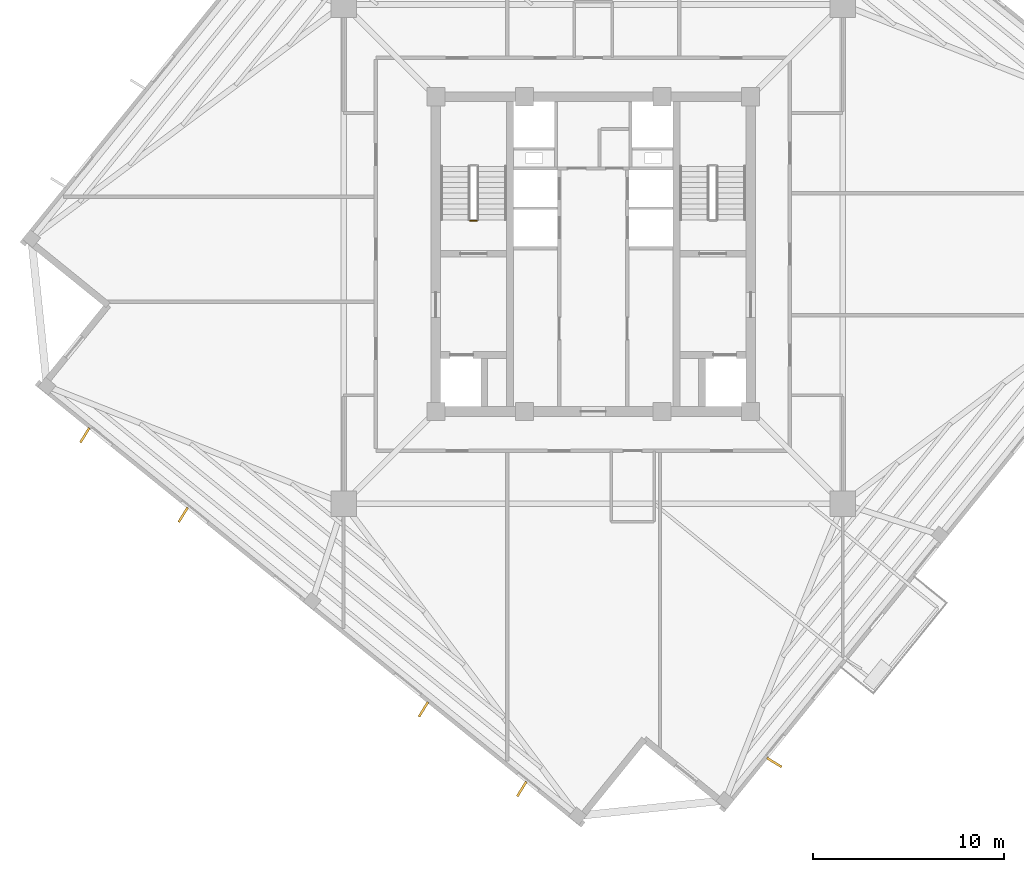
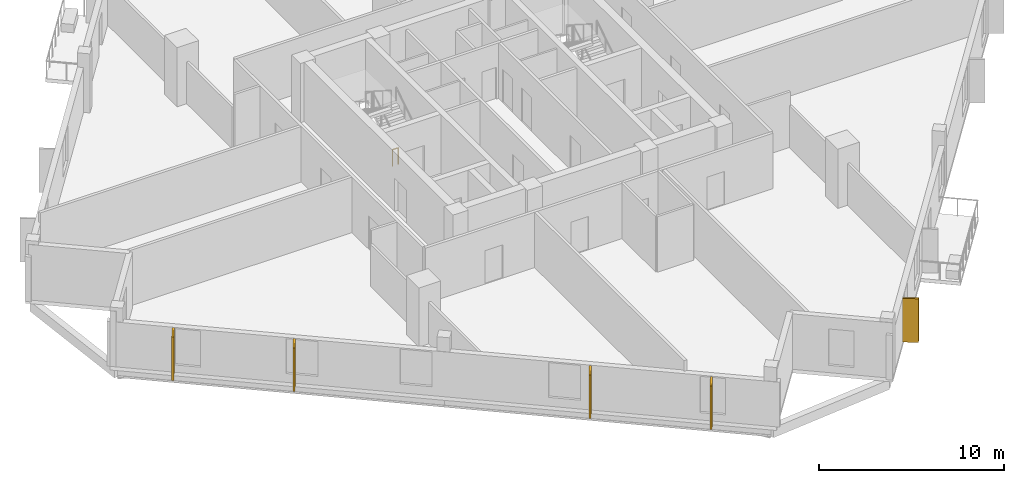
# One storey, part 6 of 9: 5 coverings, 1 railing.
"""IFC4 building model written with IfcOpenShell, lengths in metres."""

from ifc_helpers import new_model, si_unit, direction, frame, origin, origin_2d, place, context, subcontext, project, spatial, rectangle, circle, extrude, source, transform, mapped, material, layer, layer_set, type_object, element, save


model = new_model("IFC4")

# Units and contexts
model_context = context("Model", 3, precision=1e-05, world=origin(), true_north=direction((0.0, 1.0)))
body_context = subcontext(model_context, "Body", "Model", "MODEL_VIEW")
ifc_project = project(units=[si_unit("LENGTHUNIT", "METRE"), si_unit("AREAUNIT", "SQUARE_METRE"), si_unit("VOLUMEUNIT", "CUBIC_METRE"), si_unit("PLANEANGLEUNIT", "RADIAN"), si_unit("MASSUNIT", "GRAM", prefix="KILO"), si_unit("THERMODYNAMICTEMPERATUREUNIT", "KELVIN")], contexts=[model_context])

# Site, building, storey
site_placement = place(None, origin())
site = spatial("IfcSite", under=ifc_project, at=site_placement, CompositionType="ELEMENT")
building_placement = place(site_placement, origin())
building = spatial("IfcBuilding", under=site, at=building_placement, Name="Kosmvard Interchange Tower", CompositionType="ELEMENT")
storey_placement = place(building_placement, frame((0.0, 0.0, 236.800048828125)))
storey = spatial("IfcBuildingStorey", under=building, at=storey_placement, Name="L57", CompositionType="ELEMENT", Elevation=236.800048828125)

# Coverings
ifc_material_1 = material(Name="Architectural anodised aluminium", Category="aluminium")
ifc_layer = layer(ifc_material_1, 0.1201171875, Name="Architectural anodised aluminium")
ifc_layer_set = layer_set([ifc_layer], Name="Architectural anodised aluminium")
covering_type = type_object("IfcCoveringType", Name="Rotating Vertical Sun-Breaker Fin 900x120 Aluminium", PredefinedType="CLADDING", material=ifc_layer_set)
shared_shape_1 = source(origin(), body_context, "Body", "SweptSolid", [
    extrude(rectangle(XDim=0.89990234375, YDim=0.1201171875, at=origin_2d()), origin(), (0.0, 0.0, 1.0), 2.8798828125),
])
for number, where, z_axis, x_axis, name in (
    (1, (9.494384765625, -26.650146484375, 0.0400390625), (0.0, 0.0, 1.0), (0.852092537724, -0.523391160753, 0.0), "L57 Rotating Vertical Sun-Breaker Fin 01"),
    (2, (-26.650146484375, -9.494384765625, 0.0400390625), (0.0, 0.0, 1.0), (-0.523391160753, -0.852092537724, 0.0), "L57 Rotating Vertical Sun-Breaker Fin 13"),
    (3, (-21.49658203125, -13.66748046875, 0.0400390625), (0.0, 0.0, 1.0), (-0.523391160753, -0.852092537724, 0.0), "L57 Rotating Vertical Sun-Breaker Fin 14"),
    (4, (-8.8994140625, -23.86865234375, 0.0400390625), (0.0, 0.0, 1.0), (-0.523391160753, -0.852092537724, 0.0), "L57 Rotating Vertical Sun-Breaker Fin 15"),
    (5, (-3.74609375, -28.041748046875, 0.0400390625), (0.0, 0.0, 1.0), (-0.523391160753, -0.852092537724, 0.0), "L57 Rotating Vertical Sun-Breaker Fin 16"),
):
    element("IfcCovering", number, at=place(storey_placement, frame(where, z_axis=z_axis, x_axis=x_axis)), inside=storey, type_object=covering_type, Name=name, PredefinedType="CLADDING", context=body_context, shape_type="MappedRepresentation", body=[
        mapped(shared_shape_1, transform((0.0, 0.0, 0.0), scale=1.0)),
    ])

# Railing
ifc_material_2 = material(Name="Steel S355", Category="steel")
railing_type = type_object("IfcRailingType", Name="Stair & Terrace Safety Guardrail 1100 Steel", PredefinedType="GUARDRAIL", material=ifc_material_2)
shared_shape_2 = source(origin(), body_context, "Body", "SweptSolid", [
    extrude(circle(Radius=0.02392578125, at=origin_2d()), frame((0.0, 0.0, 1.076171875), z_axis=(-1.0, 0.0, 0.0), x_axis=(0.0, -1.0, 0.0)), (0.0, 0.0, 1.0), 0.35986328125),
    extrude(circle(Radius=0.02099609375, at=origin_2d()), origin(), (0.0, 0.0, 1.0), 1.052001953125),
    extrude(circle(Radius=0.02099609375, at=origin_2d()), frame((-0.35986328125, 0.0, 0.0)), (0.0, 0.0, 1.0), 1.052001953125),
])
railing_placement = place(storey_placement, frame((-6.090087890625, 1.75, 0.0)))
element("IfcRailing", 6, at=railing_placement, inside=storey, type_object=railing_type, Name="L57 ST-1 stair guard 4", PredefinedType="GUARDRAIL", context=body_context, shape_type="MappedRepresentation", body=[
    mapped(shared_shape_2, transform((0.0, 0.0, 0.0), scale=1.0)),
])

save(model, "model.ifc")
